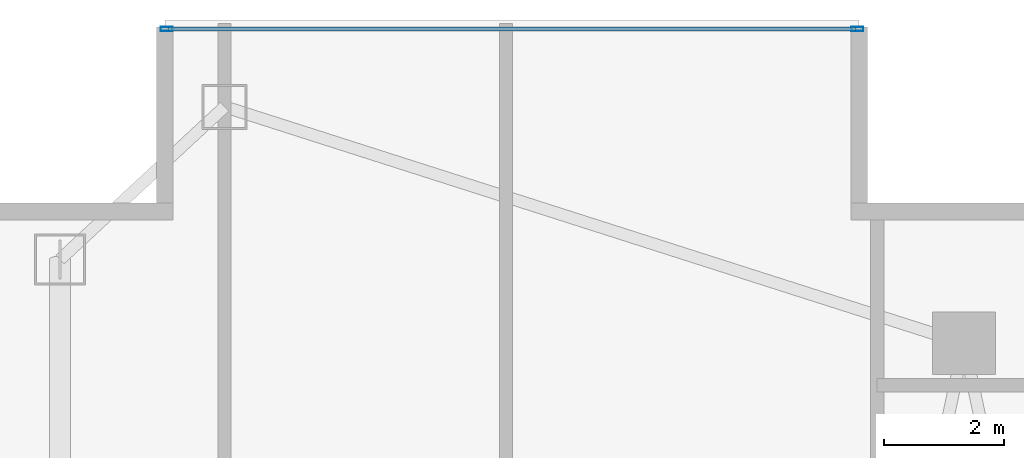
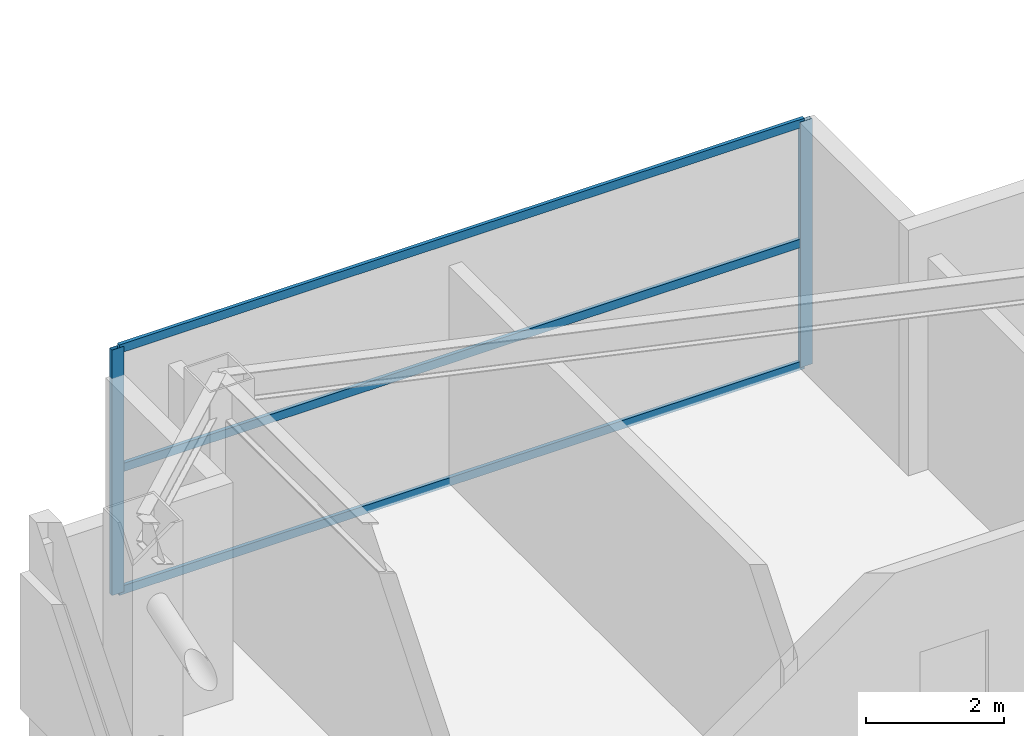
# One storey, part 7 of 17: 5 members, 1 element without a shape of its own.
"""IFC4 building model written with IfcOpenShell, lengths in metres."""

from ifc_helpers import new_model, si_unit, direction, frame, origin, origin_2d, place, context, subcontext, project, spatial, hollow_rectangle, extrude, material, layer, layer_set, material_profile, profile_set, type_object, element, aggregate, save


model = new_model("IFC4")

# Units and contexts
model_context = context("Model", 3, precision=1e-05, world=origin(), true_north=direction((0.0, 1.0)))
body_context = subcontext(model_context, "Body", "Model", "MODEL_VIEW")
ifc_project = project(units=[si_unit("LENGTHUNIT", "METRE"), si_unit("AREAUNIT", "SQUARE_METRE"), si_unit("VOLUMEUNIT", "CUBIC_METRE"), si_unit("PLANEANGLEUNIT", "RADIAN"), si_unit("MASSUNIT", "GRAM", prefix="KILO")], contexts=[model_context])

# Site, building, storey
site_placement = place(None, origin())
site = spatial("IfcSite", under=ifc_project, at=site_placement, CompositionType="ELEMENT")
building_placement = place(site_placement, origin())
building = spatial("IfcBuilding", under=site, at=building_placement, Name="Calvorn Quay Hotel", CompositionType="ELEMENT")
storey_placement = place(building_placement, frame((0.0, 0.0, 186.5)))
storey = spatial("IfcBuildingStorey", under=building, at=storey_placement, Name="L46", CompositionType="ELEMENT", Elevation=186.5)

# Curtain wall, members
ifc_material_1 = material(Name="Pale Anodised Aluminium and Low-E Glass", Category="aluminium")
ifc_layer = layer(ifc_material_1, 0.219970703125)
ifc_layer_set = layer_set([ifc_layer], Name="CW-SYS-Z2")
curtain_wall_type = type_object("IfcCurtainWallType", Name="CW-SYS-Z2", PredefinedType="NOTDEFINED", material=ifc_layer_set)
curtain_wall_placement = place(storey_placement, origin())
curtain_wall = element("IfcCurtainWall", 1, at=curtain_wall_placement, inside=storey, type_object=curtain_wall_type, Name="Inner Court Curtain Wall L46-N1", PredefinedType="NOTDEFINED")
ifc_material_2 = material(Name="Pale Anodised Aluminium 6063-T6", Category="aluminium")
ifc_material_profile_1 = material_profile(ifc_material_2, hollow_rectangle(XDim=0.070068359375, YDim=0.199951171875, WallThickness=0.00390625, at=origin_2d()), Name="ALU-M200x70x4")
ifc_profile_set_1 = profile_set([ifc_material_profile_1], Name="Pale Anodised Aluminium 6063-T6")
member_type_1 = type_object("IfcMemberType", Name="CW-SYS-Z2-MUL", PredefinedType="MULLION", material=ifc_profile_set_1)
member_1_placement = place(storey_placement, frame((14.77001953125, 50.85009765625, 0.0), z_axis=(0.0, 0.0, 1.0), x_axis=(0.0, -1.0, 0.0)))
member_1 = element("IfcMember", 2, at=member_1_placement, type_object=member_type_1, Name="CW-L46-N1 mullion 1", PredefinedType="MULLION", context=body_context, shape_type="SweptSolid", body=[
    extrude(hollow_rectangle(XDim=0.070068359375, YDim=0.199951171875, WallThickness=0.00390625, at=origin_2d()), origin(), (0.0, 0.0, 1.0), 4.35009765625),
])
member_2_placement = place(storey_placement, frame((3.22998046875, 50.85009765625, 0.0), z_axis=(0.0, 0.0, 1.0), x_axis=(0.0, -1.0, 0.0)))
member_2 = element("IfcMember", 3, at=member_2_placement, type_object=member_type_1, Name="CW-L46-N1 mullion 2", PredefinedType="MULLION", context=body_context, shape_type="SweptSolid", body=[
    extrude(hollow_rectangle(XDim=0.070068359375, YDim=0.199951171875, WallThickness=0.00390625, at=origin_2d()), origin(), (0.0, 0.0, 1.0), 4.35009765625),
])
ifc_material_3 = material(Name="Pale Anodised Aluminium 6063-T6", Category="aluminium")
ifc_material_profile_2 = material_profile(ifc_material_3, hollow_rectangle(XDim=0.06005859375, YDim=0.14990234375, WallThickness=0.00341796875, at=origin_2d()), Name="ALU-T150x60x3.5")
ifc_profile_set_2 = profile_set([ifc_material_profile_2], Name="Pale Anodised Aluminium 6063-T6")
member_type_2 = type_object("IfcMemberType", Name="CW-SYS-Z2-TRN", PredefinedType="USERDEFINED", material=ifc_profile_set_2)
member_3_placement = place(storey_placement, frame((14.739990234375, 50.85009765625, 0.030029296875), z_axis=(-1.0, 0.0, 0.0), x_axis=(0.0, -1.0, 0.0)))
member_3 = element("IfcMember", 4, at=member_3_placement, type_object=member_type_2, Name="CW-L46-N1 transom 1.1", ObjectType="TRANSOM", PredefinedType="USERDEFINED", context=body_context, shape_type="SweptSolid", body=[
    extrude(hollow_rectangle(XDim=0.06005859375, YDim=0.14990234375, WallThickness=0.00341796875, at=origin_2d()), origin(), (0.0, 0.0, 1.0), 11.47998046875),
])
member_4_placement = place(storey_placement, frame((14.739990234375, 50.85009765625, 2.199951171875), z_axis=(-1.0, 0.0, 0.0), x_axis=(0.0, -1.0, 0.0)))
member_4 = element("IfcMember", 5, at=member_4_placement, type_object=member_type_2, Name="CW-L46-N1 transom 1.2", ObjectType="TRANSOM", PredefinedType="USERDEFINED", context=body_context, shape_type="SweptSolid", body=[
    extrude(hollow_rectangle(XDim=0.06005859375, YDim=0.14990234375, WallThickness=0.00341796875, at=origin_2d()), origin(), (0.0, 0.0, 1.0), 11.47998046875),
])
member_5_placement = place(storey_placement, frame((14.739990234375, 50.85009765625, 4.320068359375), z_axis=(-1.0, 0.0, 0.0), x_axis=(0.0, -1.0, 0.0)))
member_5 = element("IfcMember", 6, at=member_5_placement, type_object=member_type_2, Name="CW-L46-N1 transom 1.3", ObjectType="TRANSOM", PredefinedType="USERDEFINED", context=body_context, shape_type="SweptSolid", body=[
    extrude(hollow_rectangle(XDim=0.06005859375, YDim=0.14990234375, WallThickness=0.00341796875, at=origin_2d()), origin(), (0.0, 0.0, 1.0), 11.47998046875),
])
aggregate(curtain_wall, [member_1, member_2, member_3, member_4, member_5])

save(model, "model.ifc")
